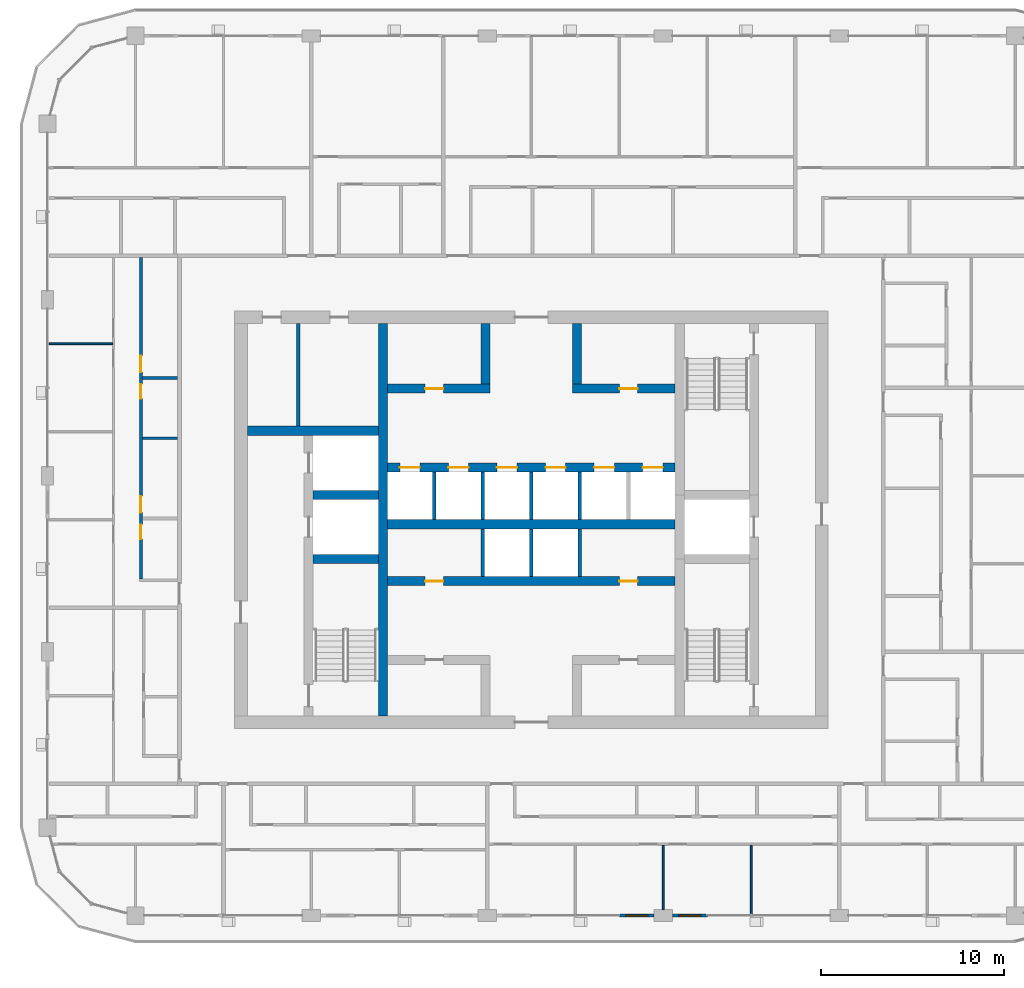
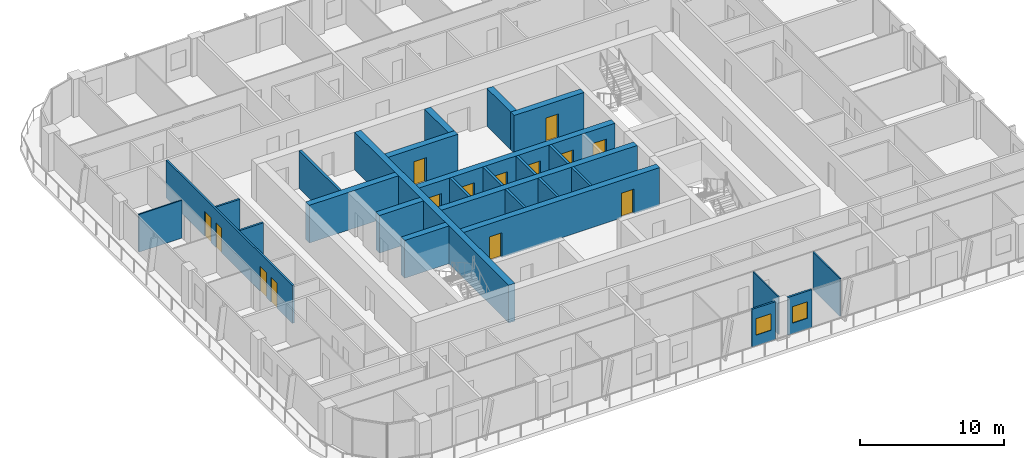
# One storey, part 11 of 23: 27 walls, 14 doors, 2 windows, 16 openings.
"""IFC4 building model written with IfcOpenShell, lengths in metres."""

from ifc_helpers import new_model, si_unit, direction, frame, frame_2d, origin, place, context, subcontext, project, spatial, rectangle, extrude, material, layer, layer_set, type_object, element, fill, save


model = new_model("IFC4")

# Units and contexts
model_context = context("Model", 3, precision=1e-05, world=origin(), true_north=direction((0.0, 1.0)))
body_context = subcontext(model_context, "Body", "Model", "MODEL_VIEW")
ifc_project = project(units=[si_unit("LENGTHUNIT", "METRE"), si_unit("AREAUNIT", "SQUARE_METRE"), si_unit("VOLUMEUNIT", "CUBIC_METRE"), si_unit("PLANEANGLEUNIT", "RADIAN"), si_unit("MASSUNIT", "GRAM", prefix="KILO")], contexts=[model_context])

# Site, building, storey
site_placement = place(None, origin())
site = spatial("IfcSite", under=ifc_project, at=site_placement, CompositionType="ELEMENT")
building_placement = place(site_placement, origin())
building = spatial("IfcBuilding", under=site, at=building_placement, Name="Madar Terraces", CompositionType="ELEMENT")
storey_placement = place(building_placement, frame((0.0, 0.0, 219.300048828125)))
storey = spatial("IfcBuildingStorey", under=building, at=storey_placement, Name="L57", CompositionType="ELEMENT", Elevation=219.300048828125)

# Walls
ifc_material_1 = material(Name="Concrete C60/75", Category="concrete")
ifc_layer_1 = layer(ifc_material_1, 0.5)
ifc_layer_set_1 = layer_set([ifc_layer_1], Name="Concrete C60/75 (CIW4 RC wall 500)")
wall_type_1 = type_object("IfcWallType", Name="CIW4 RC wall 500", PredefinedType="SHEAR", material=ifc_layer_set_1)
wall_1_placement = place(storey_placement, frame((23.10009765625, 15.699951171875, 0.0), z_axis=(0.0, 0.0, 1.0), x_axis=(0.0, 1.0, 0.0)))
element("IfcWall", 1, at=wall_1_placement, inside=storey, type_object=wall_type_1, Name="CORE SHAFT WALL", PredefinedType="SHEAR", context=body_context, shape_type="SweptSolid", body=[
    extrude(rectangle(XDim=21.400146484375, YDim=0.5, at=frame_2d((10.7001953125, 0.0))), origin(), (0.0, 0.0, 1.0), 3.199951171875),
])
for number, where, z_axis, x_axis, name in (
    (2, (19.300048828125, 24.25, 0.0), (0.0, 0.0, 1.0), (1.0, 0.0, 0.0), "CORE SHAFT WALL"),
    (3, (19.300048828125, 27.75, 0.0), (0.0, 0.0, 1.0), (1.0, 0.0, 0.0), "CORE SHAFT WALL"),
):
    element("IfcWall", number, at=place(storey_placement, frame(where, z_axis=z_axis, x_axis=x_axis)), inside=storey, type_object=wall_type_1, Name=name, PredefinedType="SHEAR", context=body_context, shape_type="SweptSolid", body=[
        extrude(rectangle(XDim=3.550048828125, YDim=0.5, at=frame_2d((1.77490234375, 0.0))), origin(), (0.0, 0.0, 1.0), 3.199951171875),
    ])
wall_2_placement = place(storey_placement, frame((15.699951171875, 31.25, 0.0), z_axis=(0.0, 0.0, 1.0), x_axis=(1.0, 0.0, 0.0)))
element("IfcWall", 4, at=wall_2_placement, inside=storey, type_object=wall_type_1, Name="CORE SHAFT WALL", PredefinedType="SHEAR", context=body_context, shape_type="SweptSolid", body=[
    extrude(rectangle(XDim=7.150146484375, YDim=0.5, at=frame_2d((3.5751953125, 0.0))), origin(), (0.0, 0.0, 1.0), 3.199951171875),
])

# Wall, openings, doors
wall_3_placement = place(storey_placement, frame((23.35009765625, 23.050048828125, 0.0), z_axis=(0.0, 0.0, 1.0), x_axis=(1.0, 0.0, 0.0)))
wall_3 = element("IfcWall", 5, at=wall_3_placement, inside=storey, type_object=wall_type_1, Name="CORE SHAFT WALL", PredefinedType="SHEAR", context=body_context, shape_type="SweptSolid", body=[
    extrude(rectangle(XDim=15.699951171875, YDim=0.5, at=frame_2d((7.85009765625, 0.0))), origin(), (0.0, 0.0, 1.0), 3.199951171875),
])
opening_1_placement = place(wall_3_placement, frame((2.050048828125, 0.0, 0.0)))
opening_1 = element("IfcOpeningElement", 6, at=opening_1_placement, cuts=wall_3, Name="Opening KD2", PredefinedType="OPENING", context=body_context, shape_type="SweptSolid", body=[
    extrude(rectangle(XDim=1.0, YDim=2.10009765625, at=frame_2d((0.5, 1.050048828125))), frame((0.0, 0.260009765625, 0.0), z_axis=(0.0, -1.0, 0.0), x_axis=(1.0, 0.0, 0.0)), (0.0, 0.0, 1.0), 0.52001953125),
])
opening_2_placement = place(wall_3_placement, frame((12.64990234375, 0.0, 0.0)))
opening_2 = element("IfcOpeningElement", 7, at=opening_2_placement, cuts=wall_3, Name="Opening KD2", PredefinedType="OPENING", context=body_context, shape_type="SweptSolid", body=[
    extrude(rectangle(XDim=1.0, YDim=2.10009765625, at=frame_2d((0.5, 1.050048828125))), frame((0.0, 0.260009765625, 0.0), z_axis=(0.0, -1.0, 0.0), x_axis=(1.0, 0.0, 0.0)), (0.0, 0.0, 1.0), 0.52001953125),
])
ifc_material_2 = material(Name="Steel door leaf", Category="steel")
door_type_1 = type_object("IfcDoorType", Name="Service room door 1000 x 2100", OperationType="NOTDEFINED", PredefinedType="DOOR", material=ifc_material_2)
door_1_placement = place(opening_1_placement, frame((1.0, 0.0, 0.0), z_axis=(0.0, 0.0, 1.0), x_axis=(-1.0, 0.0, 0.0)))
door_1 = element("IfcDoor", 8, at=door_1_placement, inside=storey, type_object=door_type_1, Name="SERVICE ROOM DOOR", OperationType="SINGLE_SWING_RIGHT", OverallHeight=2.10009765625, OverallWidth=1.0, PredefinedType="DOOR", context=body_context, shape_type="SweptSolid", body=[
    extrude(rectangle(XDim=1.0, YDim=2.10009765625, at=frame_2d((0.5, 1.050048828125))), frame((0.0, 0.02490234375, 0.0), z_axis=(0.0, -1.0, 0.0), x_axis=(1.0, 0.0, 0.0)), (0.0, 0.0, 1.0), 0.050048828125),
])
fill(opening_1, door_1)
door_2_placement = place(opening_2_placement, frame((1.0, 0.0, 0.0), z_axis=(0.0, 0.0, 1.0), x_axis=(-1.0, 0.0, 0.0)))
door_2 = element("IfcDoor", 9, at=door_2_placement, inside=storey, type_object=door_type_1, Name="SERVICE ROOM DOOR", OperationType="SINGLE_SWING_LEFT", OverallHeight=2.10009765625, OverallWidth=1.0, PredefinedType="DOOR", context=body_context, shape_type="SweptSolid", body=[
    extrude(rectangle(XDim=1.0, YDim=2.10009765625, at=frame_2d((0.5, 1.050048828125))), frame((0.0, 0.02490234375, 0.0), z_axis=(0.0, -1.0, 0.0), x_axis=(1.0, 0.0, 0.0)), (0.0, 0.0, 1.0), 0.050048828125),
])
fill(opening_2, door_2)

# Wall
wall_4_placement = place(storey_placement, frame((23.35009765625, 26.14990234375, 0.0), z_axis=(0.0, 0.0, 1.0), x_axis=(1.0, 0.0, 0.0)))
element("IfcWall", 10, at=wall_4_placement, inside=storey, type_object=wall_type_1, Name="CORE SHAFT WALL", PredefinedType="SHEAR", context=body_context, shape_type="SweptSolid", body=[
    extrude(rectangle(XDim=15.699951171875, YDim=0.5, at=frame_2d((7.85009765625, 0.0))), origin(), (0.0, 0.0, 1.0), 3.199951171875),
])

# Wall, openings, doors
wall_5_placement = place(storey_placement, frame((23.35009765625, 29.25, 0.0), z_axis=(0.0, 0.0, 1.0), x_axis=(1.0, 0.0, 0.0)))
wall_5 = element("IfcWall", 11, at=wall_5_placement, inside=storey, type_object=wall_type_1, Name="CORE SHAFT WALL", PredefinedType="SHEAR", context=body_context, shape_type="SweptSolid", body=[
    extrude(rectangle(XDim=15.699951171875, YDim=0.5, at=frame_2d((7.85009765625, 0.0))), origin(), (0.0, 0.0, 1.0), 3.199951171875),
])
opening_3_placement = place(wall_5_placement, frame((0.675048828125, 0.0, 0.0)))
opening_3 = element("IfcOpeningElement", 12, at=opening_3_placement, cuts=wall_5, Name="Opening LD", PredefinedType="OPENING", context=body_context, shape_type="SweptSolid", body=[
    extrude(rectangle(XDim=1.10009765625, YDim=2.10009765625, at=frame_2d((0.550048828125, 1.050048828125))), frame((0.0, 0.260009765625, 0.0), z_axis=(0.0, -1.0, 0.0), x_axis=(1.0, 0.0, 0.0)), (0.0, 0.0, 1.0), 0.52001953125),
])
opening_4_placement = place(wall_5_placement, frame((3.324951171875, 0.0, 0.0)))
opening_4 = element("IfcOpeningElement", 13, at=opening_4_placement, cuts=wall_5, Name="Opening LD", PredefinedType="OPENING", context=body_context, shape_type="SweptSolid", body=[
    extrude(rectangle(XDim=1.10009765625, YDim=2.10009765625, at=frame_2d((0.550048828125, 1.050048828125))), frame((0.0, 0.260009765625, 0.0), z_axis=(0.0, -1.0, 0.0), x_axis=(1.0, 0.0, 0.0)), (0.0, 0.0, 1.0), 0.52001953125),
])
opening_5_placement = place(wall_5_placement, frame((5.97509765625, 0.0, 0.0)))
opening_5 = element("IfcOpeningElement", 14, at=opening_5_placement, cuts=wall_5, Name="Opening LD", PredefinedType="OPENING", context=body_context, shape_type="SweptSolid", body=[
    extrude(rectangle(XDim=1.10009765625, YDim=2.10009765625, at=frame_2d((0.550048828125, 1.050048828125))), frame((0.0, 0.260009765625, 0.0), z_axis=(0.0, -1.0, 0.0), x_axis=(1.0, 0.0, 0.0)), (0.0, 0.0, 1.0), 0.52001953125),
])
opening_6_placement = place(wall_5_placement, frame((8.625, 0.0, 0.0)))
opening_6 = element("IfcOpeningElement", 15, at=opening_6_placement, cuts=wall_5, Name="Opening LD", PredefinedType="OPENING", context=body_context, shape_type="SweptSolid", body=[
    extrude(rectangle(XDim=1.10009765625, YDim=2.10009765625, at=frame_2d((0.550048828125, 1.050048828125))), frame((0.0, 0.260009765625, 0.0), z_axis=(0.0, -1.0, 0.0), x_axis=(1.0, 0.0, 0.0)), (0.0, 0.0, 1.0), 0.52001953125),
])
opening_7_placement = place(wall_5_placement, frame((11.27490234375, 0.0, 0.0)))
opening_7 = element("IfcOpeningElement", 16, at=opening_7_placement, cuts=wall_5, Name="Opening LD", PredefinedType="OPENING", context=body_context, shape_type="SweptSolid", body=[
    extrude(rectangle(XDim=1.10009765625, YDim=2.10009765625, at=frame_2d((0.550048828125, 1.050048828125))), frame((0.0, 0.260009765625, 0.0), z_axis=(0.0, -1.0, 0.0), x_axis=(1.0, 0.0, 0.0)), (0.0, 0.0, 1.0), 0.52001953125),
])
opening_8_placement = place(wall_5_placement, frame((13.925048828125, 0.0, 0.0)))
opening_8 = element("IfcOpeningElement", 17, at=opening_8_placement, cuts=wall_5, Name="Opening LD", PredefinedType="OPENING", context=body_context, shape_type="SweptSolid", body=[
    extrude(rectangle(XDim=1.10009765625, YDim=2.10009765625, at=frame_2d((0.550048828125, 1.050048828125))), frame((0.0, 0.260009765625, 0.0), z_axis=(0.0, -1.0, 0.0), x_axis=(1.0, 0.0, 0.0)), (0.0, 0.0, 1.0), 0.52001953125),
])
ifc_material_3 = material(Name="Stainless steel panel", Category="steel")
door_type_2 = type_object("IfcDoorType", Name="Lift landing door 1100 x 2100", OperationType="DOUBLE_DOOR_SLIDING", PredefinedType="DOOR", material=ifc_material_3)
door_3_placement = place(opening_3_placement, origin())
door_3 = element("IfcDoor", 18, at=door_3_placement, inside=storey, type_object=door_type_2, Name="LIFT LANDING DOOR", OperationType="DOUBLE_DOOR_SLIDING", OverallHeight=2.10009765625, OverallWidth=1.10009765625, PredefinedType="DOOR", context=body_context, shape_type="SweptSolid", body=[
    extrude(rectangle(XDim=1.10009765625, YDim=2.10009765625, at=frame_2d((0.550048828125, 1.050048828125))), frame((0.0, 0.02490234375, 0.0), z_axis=(0.0, -1.0, 0.0), x_axis=(1.0, 0.0, 0.0)), (0.0, 0.0, 1.0), 0.050048828125),
])
fill(opening_3, door_3)
door_4_placement = place(opening_4_placement, origin())
door_4 = element("IfcDoor", 19, at=door_4_placement, inside=storey, type_object=door_type_2, Name="LIFT LANDING DOOR", OperationType="DOUBLE_DOOR_SLIDING", OverallHeight=2.10009765625, OverallWidth=1.10009765625, PredefinedType="DOOR", context=body_context, shape_type="SweptSolid", body=[
    extrude(rectangle(XDim=1.10009765625, YDim=2.10009765625, at=frame_2d((0.550048828125, 1.050048828125))), frame((0.0, 0.02490234375, 0.0), z_axis=(0.0, -1.0, 0.0), x_axis=(1.0, 0.0, 0.0)), (0.0, 0.0, 1.0), 0.050048828125),
])
fill(opening_4, door_4)
door_5_placement = place(opening_5_placement, origin())
door_5 = element("IfcDoor", 20, at=door_5_placement, inside=storey, type_object=door_type_2, Name="LIFT LANDING DOOR", OperationType="DOUBLE_DOOR_SLIDING", OverallHeight=2.10009765625, OverallWidth=1.10009765625, PredefinedType="DOOR", context=body_context, shape_type="SweptSolid", body=[
    extrude(rectangle(XDim=1.10009765625, YDim=2.10009765625, at=frame_2d((0.550048828125, 1.050048828125))), frame((0.0, 0.02490234375, 0.0), z_axis=(0.0, -1.0, 0.0), x_axis=(1.0, 0.0, 0.0)), (0.0, 0.0, 1.0), 0.050048828125),
])
fill(opening_5, door_5)
door_6_placement = place(opening_6_placement, origin())
door_6 = element("IfcDoor", 21, at=door_6_placement, inside=storey, type_object=door_type_2, Name="LIFT LANDING DOOR", OperationType="DOUBLE_DOOR_SLIDING", OverallHeight=2.10009765625, OverallWidth=1.10009765625, PredefinedType="DOOR", context=body_context, shape_type="SweptSolid", body=[
    extrude(rectangle(XDim=1.10009765625, YDim=2.10009765625, at=frame_2d((0.550048828125, 1.050048828125))), frame((0.0, 0.02490234375, 0.0), z_axis=(0.0, -1.0, 0.0), x_axis=(1.0, 0.0, 0.0)), (0.0, 0.0, 1.0), 0.050048828125),
])
fill(opening_6, door_6)
door_7_placement = place(opening_7_placement, origin())
door_7 = element("IfcDoor", 22, at=door_7_placement, inside=storey, type_object=door_type_2, Name="LIFT LANDING DOOR", OperationType="DOUBLE_DOOR_SLIDING", OverallHeight=2.10009765625, OverallWidth=1.10009765625, PredefinedType="DOOR", context=body_context, shape_type="SweptSolid", body=[
    extrude(rectangle(XDim=1.10009765625, YDim=2.10009765625, at=frame_2d((0.550048828125, 1.050048828125))), frame((0.0, 0.02490234375, 0.0), z_axis=(0.0, -1.0, 0.0), x_axis=(1.0, 0.0, 0.0)), (0.0, 0.0, 1.0), 0.050048828125),
])
fill(opening_7, door_7)
door_8_placement = place(opening_8_placement, origin())
door_8 = element("IfcDoor", 23, at=door_8_placement, inside=storey, type_object=door_type_2, Name="LIFT LANDING DOOR", OperationType="DOUBLE_DOOR_SLIDING", OverallHeight=2.10009765625, OverallWidth=1.10009765625, PredefinedType="DOOR", context=body_context, shape_type="SweptSolid", body=[
    extrude(rectangle(XDim=1.10009765625, YDim=2.10009765625, at=frame_2d((0.550048828125, 1.050048828125))), frame((0.0, 0.02490234375, 0.0), z_axis=(0.0, -1.0, 0.0), x_axis=(1.0, 0.0, 0.0)), (0.0, 0.0, 1.0), 0.050048828125),
])
fill(opening_8, door_8)

# Wall, opening, door
wall_6_placement = place(storey_placement, frame((23.35009765625, 33.550048828125, 0.0), z_axis=(0.0, 0.0, 1.0), x_axis=(1.0, 0.0, 0.0)))
wall_6 = element("IfcWall", 24, at=wall_6_placement, inside=storey, type_object=wall_type_1, Name="CORE SHAFT WALL", PredefinedType="SHEAR", context=body_context, shape_type="SweptSolid", body=[
    extrude(rectangle(XDim=5.599853515625, YDim=0.5, at=frame_2d((2.7998046875, 0.0))), origin(), (0.0, 0.0, 1.0), 3.199951171875),
])
opening_9_placement = place(wall_6_placement, frame((2.050048828125, 0.0, 0.0)))
opening_9 = element("IfcOpeningElement", 25, at=opening_9_placement, cuts=wall_6, Name="Opening KD2", PredefinedType="OPENING", context=body_context, shape_type="SweptSolid", body=[
    extrude(rectangle(XDim=1.0, YDim=2.10009765625, at=frame_2d((0.5, 1.050048828125))), frame((0.0, 0.260009765625, 0.0), z_axis=(0.0, -1.0, 0.0), x_axis=(1.0, 0.0, 0.0)), (0.0, 0.0, 1.0), 0.52001953125),
])
door_9_placement = place(opening_9_placement, frame((1.0, 0.0, 0.0), z_axis=(0.0, 0.0, 1.0), x_axis=(-1.0, 0.0, 0.0)))
door_9 = element("IfcDoor", 26, at=door_9_placement, inside=storey, type_object=door_type_1, Name="SERVICE ROOM DOOR", OperationType="SINGLE_SWING_RIGHT", OverallHeight=2.10009765625, OverallWidth=1.0, PredefinedType="DOOR", context=body_context, shape_type="SweptSolid", body=[
    extrude(rectangle(XDim=1.0, YDim=2.10009765625, at=frame_2d((0.5, 1.050048828125))), frame((0.0, 0.02490234375, 0.0), z_axis=(0.0, -1.0, 0.0), x_axis=(1.0, 0.0, 0.0)), (0.0, 0.0, 1.0), 0.050048828125),
])
fill(opening_9, door_9)

wall_7_placement = place(storey_placement, frame((33.449951171875, 33.550048828125, 0.0), z_axis=(0.0, 0.0, 1.0), x_axis=(1.0, 0.0, 0.0)))
wall_7 = element("IfcWall", 27, at=wall_7_placement, inside=storey, type_object=wall_type_1, Name="CORE SHAFT WALL", PredefinedType="SHEAR", context=body_context, shape_type="SweptSolid", body=[
    extrude(rectangle(XDim=5.60009765625, YDim=0.5, at=frame_2d((2.800048828125, 0.0))), origin(), (0.0, 0.0, 1.0), 3.199951171875),
])
opening_10_placement = place(wall_7_placement, frame((2.550048828125, 0.0, 0.0)))
opening_10 = element("IfcOpeningElement", 28, at=opening_10_placement, cuts=wall_7, Name="Opening KD2", PredefinedType="OPENING", context=body_context, shape_type="SweptSolid", body=[
    extrude(rectangle(XDim=1.0, YDim=2.10009765625, at=frame_2d((0.5, 1.050048828125))), frame((0.0, 0.260009765625, 0.0), z_axis=(0.0, -1.0, 0.0), x_axis=(1.0, 0.0, 0.0)), (0.0, 0.0, 1.0), 0.52001953125),
])
door_10_placement = place(opening_10_placement, frame((1.0, 0.0, 0.0), z_axis=(0.0, 0.0, 1.0), x_axis=(-1.0, 0.0, 0.0)))
door_10 = element("IfcDoor", 29, at=door_10_placement, inside=storey, type_object=door_type_1, Name="SERVICE ROOM DOOR", OperationType="SINGLE_SWING_LEFT", OverallHeight=2.10009765625, OverallWidth=1.0, PredefinedType="DOOR", context=body_context, shape_type="SweptSolid", body=[
    extrude(rectangle(XDim=1.0, YDim=2.10009765625, at=frame_2d((0.5, 1.050048828125))), frame((0.0, 0.02490234375, 0.0), z_axis=(0.0, -1.0, 0.0), x_axis=(1.0, 0.0, 0.0)), (0.0, 0.0, 1.0), 0.050048828125),
])
fill(opening_10, door_10)

# Walls
for number, where, z_axis, x_axis, name in (
    (30, (28.699951171875, 33.800048828125, 0.0), (0.0, 0.0, 1.0), (0.0, 1.0, 0.0), "CORE SHAFT WALL"),
    (31, (33.699951171875, 33.800048828125, 0.0), (0.0, 0.0, 1.0), (0.0, 1.0, 0.0), "CORE SHAFT WALL"),
):
    element("IfcWall", number, at=place(storey_placement, frame(where, z_axis=z_axis, x_axis=x_axis)), inside=storey, type_object=wall_type_1, Name=name, PredefinedType="SHEAR", context=body_context, shape_type="SweptSolid", body=[
        extrude(rectangle(XDim=3.300048828125, YDim=0.5, at=frame_2d((1.64990234375, 0.0))), origin(), (0.0, 0.0, 1.0), 3.199951171875),
    ])
ifc_material_4 = material(Name="Masonry blockwork", Category="masonry")
ifc_layer_2 = layer(ifc_material_4, 0.199951171875)
ifc_layer_set_2 = layer_set([ifc_layer_2], Name="Core partition 200 blockwork")
wall_type_2 = type_object("IfcWallType", Name="Core partition 200 blockwork", PredefinedType="PARTITIONING", material=ifc_layer_set_2)
wall_8_placement = place(storey_placement, frame((18.488525390625, 31.5, 0.0), z_axis=(0.0, 0.0, 1.0), x_axis=(0.0, 1.0, 0.0)))
element("IfcWall", 32, at=wall_8_placement, inside=storey, type_object=wall_type_2, Name="SERVICE ROOM PARTITION", PredefinedType="PARTITIONING", context=body_context, shape_type="SweptSolid", body=[
    extrude(rectangle(XDim=5.60009765625, YDim=0.199951171875, at=frame_2d((2.800048828125, 0.0))), origin(), (0.0, 0.0, 1.0), 3.199951171875),
])
ifc_material_5 = material(Name="Concrete C40/50", Category="concrete")
ifc_layer_3 = layer(ifc_material_5, 0.199951171875)
ifc_layer_set_3 = layer_set([ifc_layer_3], Name="Core shaft dividing wall 200 C40/50")
wall_type_3 = type_object("IfcWallType", Name="Core shaft dividing wall 200 C40/50", PredefinedType="SOLIDWALL", material=ifc_layer_set_3)
wall_9_placement = place(storey_placement, frame((25.89990234375, 26.39990234375, 0.0), z_axis=(0.0, 0.0, 1.0), x_axis=(0.0, 1.0, 0.0)))
element("IfcWall", 33, at=wall_9_placement, inside=storey, type_object=wall_type_3, Name="SHAFT DIVIDING WALL", PredefinedType="SOLIDWALL", context=body_context, shape_type="SweptSolid", body=[
    extrude(rectangle(XDim=2.60009765625, YDim=0.199951171875, at=frame_2d((1.300048828125, 0.0))), origin(), (0.0, 0.0, 1.0), 3.199951171875),
])
wall_10_placement = place(storey_placement, frame((28.550048828125, 23.300048828125, 0.0), z_axis=(0.0, 0.0, 1.0), x_axis=(0.0, 1.0, 0.0)))
element("IfcWall", 34, at=wall_10_placement, inside=storey, type_object=wall_type_3, Name="SHAFT DIVIDING WALL", PredefinedType="SOLIDWALL", context=body_context, shape_type="SweptSolid", body=[
    extrude(rectangle(XDim=2.599853515625, YDim=0.199951171875, at=frame_2d((1.2998046875, 0.0))), origin(), (0.0, 0.0, 1.0), 3.199951171875),
])
wall_11_placement = place(storey_placement, frame((28.550048828125, 26.39990234375, 0.0), z_axis=(0.0, 0.0, 1.0), x_axis=(0.0, 1.0, 0.0)))
element("IfcWall", 35, at=wall_11_placement, inside=storey, type_object=wall_type_3, Name="SHAFT DIVIDING WALL", PredefinedType="SOLIDWALL", context=body_context, shape_type="SweptSolid", body=[
    extrude(rectangle(XDim=2.60009765625, YDim=0.199951171875, at=frame_2d((1.300048828125, 0.0))), origin(), (0.0, 0.0, 1.0), 3.199951171875),
])
wall_12_placement = place(storey_placement, frame((31.199951171875, 23.300048828125, 0.0), z_axis=(0.0, 0.0, 1.0), x_axis=(0.0, 1.0, 0.0)))
element("IfcWall", 36, at=wall_12_placement, inside=storey, type_object=wall_type_3, Name="SHAFT DIVIDING WALL", PredefinedType="SOLIDWALL", context=body_context, shape_type="SweptSolid", body=[
    extrude(rectangle(XDim=2.599853515625, YDim=0.199951171875, at=frame_2d((1.2998046875, 0.0))), origin(), (0.0, 0.0, 1.0), 3.199951171875),
])
wall_13_placement = place(storey_placement, frame((31.199951171875, 26.39990234375, 0.0), z_axis=(0.0, 0.0, 1.0), x_axis=(0.0, 1.0, 0.0)))
element("IfcWall", 37, at=wall_13_placement, inside=storey, type_object=wall_type_3, Name="SHAFT DIVIDING WALL", PredefinedType="SOLIDWALL", context=body_context, shape_type="SweptSolid", body=[
    extrude(rectangle(XDim=2.60009765625, YDim=0.199951171875, at=frame_2d((1.300048828125, 0.0))), origin(), (0.0, 0.0, 1.0), 3.199951171875),
])
wall_14_placement = place(storey_placement, frame((33.85009765625, 23.300048828125, 0.0), z_axis=(0.0, 0.0, 1.0), x_axis=(0.0, 1.0, 0.0)))
element("IfcWall", 38, at=wall_14_placement, inside=storey, type_object=wall_type_3, Name="SHAFT DIVIDING WALL", PredefinedType="SOLIDWALL", context=body_context, shape_type="SweptSolid", body=[
    extrude(rectangle(XDim=2.599853515625, YDim=0.199951171875, at=frame_2d((1.2998046875, 0.0))), origin(), (0.0, 0.0, 1.0), 3.199951171875),
])
wall_15_placement = place(storey_placement, frame((33.85009765625, 26.39990234375, 0.0), z_axis=(0.0, 0.0, 1.0), x_axis=(0.0, 1.0, 0.0)))
element("IfcWall", 39, at=wall_15_placement, inside=storey, type_object=wall_type_3, Name="SHAFT DIVIDING WALL", PredefinedType="SOLIDWALL", context=body_context, shape_type="SweptSolid", body=[
    extrude(rectangle(XDim=2.60009765625, YDim=0.199951171875, at=frame_2d((1.300048828125, 0.0))), origin(), (0.0, 0.0, 1.0), 3.199951171875),
])

# Wall, opening, window
ifc_material_6 = material(Name="Aluminium composite panel, black, over insulated backing", Category="aluminium")
ifc_layer_4 = layer(ifc_material_6, 0.14990234375)
ifc_layer_set_4 = layer_set([ifc_layer_4], Name="Facade bay panel 150")
wall_type_4 = type_object("IfcWallType", Name="Facade bay panel 150", PredefinedType="SOLIDWALL", material=ifc_layer_set_4)
wall_16_placement = place(storey_placement, frame((36.0, 4.800048828125, 0.0), z_axis=(0.0, 0.0, 1.0), x_axis=(1.0, 0.0, 0.0)))
wall_16 = element("IfcWall", 40, at=wall_16_placement, inside=storey, type_object=wall_type_4, Name="Facade bay panel", PredefinedType="SOLIDWALL", context=body_context, shape_type="SweptSolid", body=[
    extrude(rectangle(XDim=1.89990234375, YDim=0.14990234375, at=frame_2d((0.949951171875, 0.0))), origin(), (0.0, 0.0, 1.0), 3.199951171875),
])
opening_11_placement = place(wall_16_placement, frame((0.35009765625, 0.0, 0.89990234375)))
opening_11 = element("IfcOpeningElement", 41, at=opening_11_placement, cuts=wall_16, Name="Opening W1", PredefinedType="OPENING", context=body_context, shape_type="SweptSolid", body=[
    extrude(rectangle(XDim=1.199951171875, YDim=1.39990234375, at=frame_2d((0.60009765625, 0.699951171875))), frame((0.0, 0.0849609375, 0.0), z_axis=(0.0, -1.0, 0.0), x_axis=(1.0, 0.0, 0.0)), (0.0, 0.0, 1.0), 0.169921875),
])
ifc_material_7 = material(Name="Glass, clear, with black aluminium frame", Category="aluminium")
window_type = type_object("IfcWindowType", Name="Vent window 1200 x 1400", PartitioningType="SINGLE_PANEL", PredefinedType="WINDOW", material=ifc_material_7)
window_1_placement = place(opening_11_placement, origin())
window_1 = element("IfcWindow", 42, at=window_1_placement, inside=storey, type_object=window_type, Name="Operable vent window", OverallHeight=1.39990234375, OverallWidth=1.199951171875, PartitioningType="SINGLE_PANEL", PredefinedType="WINDOW", context=body_context, shape_type="SweptSolid", body=[
    extrude(rectangle(XDim=1.199951171875, YDim=1.39990234375, at=frame_2d((0.60009765625, 0.699951171875))), frame((0.0, 0.030029296875, 0.0), z_axis=(0.0, -1.0, 0.0), x_axis=(1.0, 0.0, 0.0)), (0.0, 0.0, 1.0), 0.06005859375),
])
fill(opening_11, window_1)

wall_17_placement = place(storey_placement, frame((38.89990234375, 4.800048828125, 0.0), z_axis=(0.0, 0.0, 1.0), x_axis=(1.0, 0.0, 0.0)))
wall_17 = element("IfcWall", 43, at=wall_17_placement, inside=storey, type_object=wall_type_4, Name="Facade bay panel", PredefinedType="SOLIDWALL", context=body_context, shape_type="SweptSolid", body=[
    extrude(rectangle(XDim=1.900146484375, YDim=0.14990234375, at=frame_2d((0.9501953125, 0.0))), origin(), (0.0, 0.0, 1.0), 3.199951171875),
])
opening_12_placement = place(wall_17_placement, frame((0.35009765625, 0.0, 0.89990234375)))
opening_12 = element("IfcOpeningElement", 44, at=opening_12_placement, cuts=wall_17, Name="Opening W1", PredefinedType="OPENING", context=body_context, shape_type="SweptSolid", body=[
    extrude(rectangle(XDim=1.199951171875, YDim=1.39990234375, at=frame_2d((0.60009765625, 0.699951171875))), frame((0.0, 0.0849609375, 0.0), z_axis=(0.0, -1.0, 0.0), x_axis=(1.0, 0.0, 0.0)), (0.0, 0.0, 1.0), 0.169921875),
])
window_2_placement = place(opening_12_placement, origin())
window_2 = element("IfcWindow", 45, at=window_2_placement, inside=storey, type_object=window_type, Name="Operable vent window", OverallHeight=1.39990234375, OverallWidth=1.199951171875, PartitioningType="SINGLE_PANEL", PredefinedType="WINDOW", context=body_context, shape_type="SweptSolid", body=[
    extrude(rectangle(XDim=1.199951171875, YDim=1.39990234375, at=frame_2d((0.60009765625, 0.699951171875))), frame((0.0, 0.030029296875, 0.0), z_axis=(0.0, -1.0, 0.0), x_axis=(1.0, 0.0, 0.0)), (0.0, 0.0, 1.0), 0.06005859375),
])
fill(opening_12, window_2)

# Walls
ifc_material_8 = material(Name="Gypsum board on steel studs", Category="steel")
ifc_layer_5 = layer(ifc_material_8, 0.10009765625)
ifc_layer_set_5 = layer_set([ifc_layer_5], Name="Flat partition 100")
wall_type_5 = type_object("IfcWallType", Name="Flat partition 100", PredefinedType="PARTITIONING", material=ifc_layer_set_5)
wall_18_placement = place(storey_placement, frame((38.39990234375, 8.64990234375, 0.0), z_axis=(0.0, 0.0, 1.0), x_axis=(0.0, -1.0, 0.0)))
element("IfcWall", 46, at=wall_18_placement, inside=storey, type_object=wall_type_5, Name="Flat partition 100", PredefinedType="PARTITIONING", context=body_context, shape_type="SweptSolid", body=[
    extrude(rectangle(XDim=3.52490234375, YDim=0.10009765625, at=frame_2d((1.762451171875, 0.0))), origin(), (0.0, 0.0, 1.0), 3.199951171875),
])
wall_19_placement = place(storey_placement, frame((43.199951171875, 8.64990234375, 0.0), z_axis=(0.0, 0.0, 1.0), x_axis=(0.0, -1.0, 0.0)))
element("IfcWall", 47, at=wall_19_placement, inside=storey, type_object=wall_type_5, Name="Flat partition 100", PredefinedType="PARTITIONING", context=body_context, shape_type="SweptSolid", body=[
    extrude(rectangle(XDim=3.75, YDim=0.10009765625, at=frame_2d((1.875, 0.0))), origin(), (0.0, 0.0, 1.0), 3.199951171875),
])
wall_20_placement = place(storey_placement, frame((8.35009765625, 36.0, 0.0), z_axis=(0.0, 0.0, 1.0), x_axis=(-1.0, 0.0, 0.0)))
element("IfcWall", 48, at=wall_20_placement, inside=storey, type_object=wall_type_5, Name="Flat partition 100", PredefinedType="PARTITIONING", context=body_context, shape_type="SweptSolid", body=[
    extrude(rectangle(XDim=3.4501953125, YDim=0.10009765625, at=frame_2d((1.72509765625, 0.0))), origin(), (0.0, 0.0, 1.0), 3.199951171875),
])
ifc_material_9 = material(Name="Lightweight blockwork", Category="masonry")
ifc_layer_6 = layer(ifc_material_9, 0.14990234375)
ifc_layer_set_6 = layer_set([ifc_layer_6], Name="Flat wet-room partition 150")
wall_type_6 = type_object("IfcWallType", Name="Flat wet-room partition 150", PredefinedType="PARTITIONING", material=ifc_layer_set_6)
for number, where, z_axis, x_axis, name in (
    (49, (11.89990234375, 30.842041015625, 0.0), (0.0, 0.0, 1.0), (-1.0, 0.0, 0.0), "Flat wet-room partition 150"),
    (50, (11.89990234375, 34.1279296875, 0.0), (0.0, 0.0, 1.0), (-1.0, 0.0, 0.0), "Flat wet-room partition 150"),
):
    element("IfcWall", number, at=place(storey_placement, frame(where, z_axis=z_axis, x_axis=x_axis)), inside=storey, type_object=wall_type_6, Name=name, PredefinedType="PARTITIONING", context=body_context, shape_type="SweptSolid", body=[
        extrude(rectangle(XDim=1.9248046875, YDim=0.14990234375, at=frame_2d((0.96240234375, 0.0))), origin(), (0.0, 0.0, 1.0), 3.199951171875),
    ])

# Wall, openings, doors
wall_21_placement = place(storey_placement, frame((9.89990234375, 40.699951171875, 0.0), z_axis=(0.0, 0.0, 1.0), x_axis=(0.0, -1.0, 0.0)))
wall_21 = element("IfcWall", 51, at=wall_21_placement, inside=storey, type_object=wall_type_6, Name="Flat wet-room partition 150", PredefinedType="PARTITIONING", context=body_context, shape_type="SweptSolid", body=[
    extrude(rectangle(XDim=17.52490234375, YDim=0.14990234375, at=frame_2d((8.762451171875, 0.0))), origin(), (0.0, 0.0, 1.0), 3.199951171875),
])
opening_13_placement = place(wall_21_placement, frame((14.564208984375, 0.0, 0.0)))
opening_13 = element("IfcOpeningElement", 52, at=opening_13_placement, cuts=wall_21, Name="Opening D7", PredefinedType="OPENING", context=body_context, shape_type="SweptSolid", body=[
    extrude(rectangle(XDim=0.800048828125, YDim=2.10009765625, at=frame_2d((0.39990234375, 1.050048828125))), frame((0.0, 0.0849609375, 0.0), z_axis=(0.0, -1.0, 0.0), x_axis=(1.0, 0.0, 0.0)), (0.0, 0.0, 1.0), 0.169921875),
])
opening_14_placement = place(wall_21_placement, frame((13.01416015625, 0.0, 0.0)))
opening_14 = element("IfcOpeningElement", 53, at=opening_14_placement, cuts=wall_21, Name="Opening D5", PredefinedType="OPENING", context=body_context, shape_type="SweptSolid", body=[
    extrude(rectangle(XDim=0.89990234375, YDim=2.10009765625, at=frame_2d((0.449951171875, 1.050048828125))), frame((0.0, 0.0849609375, 0.0), z_axis=(0.0, -1.0, 0.0), x_axis=(1.0, 0.0, 0.0)), (0.0, 0.0, 1.0), 0.169921875),
])
opening_15_placement = place(wall_21_placement, frame((6.89697265625, 0.0, 0.0)))
opening_15 = element("IfcOpeningElement", 54, at=opening_15_placement, cuts=wall_21, Name="Opening D4", PredefinedType="OPENING", context=body_context, shape_type="SweptSolid", body=[
    extrude(rectangle(XDim=0.800048828125, YDim=2.10009765625, at=frame_2d((0.39990234375, 1.050048828125))), frame((0.0, 0.0849609375, 0.0), z_axis=(0.0, -1.0, 0.0), x_axis=(1.0, 0.0, 0.0)), (0.0, 0.0, 1.0), 0.169921875),
])
opening_16_placement = place(wall_21_placement, frame((5.346923828125, 0.0, 0.0)))
opening_16 = element("IfcOpeningElement", 55, at=opening_16_placement, cuts=wall_21, Name="Opening D2", PredefinedType="OPENING", context=body_context, shape_type="SweptSolid", body=[
    extrude(rectangle(XDim=0.89990234375, YDim=2.10009765625, at=frame_2d((0.449951171875, 1.050048828125))), frame((0.0, 0.0849609375, 0.0), z_axis=(0.0, -1.0, 0.0), x_axis=(1.0, 0.0, 0.0)), (0.0, 0.0, 1.0), 0.169921875),
])
ifc_material_10 = material(Name="Timber door leaf", Category="wood")
door_type_3 = type_object("IfcDoorType", Name="Flat accessible bathroom door 900", OperationType="NOTDEFINED", PredefinedType="DOOR", material=ifc_material_10)
door_11_placement = place(opening_14_placement, origin())
door_11 = element("IfcDoor", 56, at=door_11_placement, inside=storey, type_object=door_type_3, Name="Flat accessible bathroom door 900", OperationType="SINGLE_SWING_RIGHT", OverallHeight=2.10009765625, OverallWidth=0.89990234375, PredefinedType="DOOR", context=body_context, shape_type="SweptSolid", body=[
    extrude(rectangle(XDim=0.89990234375, YDim=2.10009765625, at=frame_2d((0.449951171875, 1.050048828125))), frame((0.0, 0.02490234375, 0.0), z_axis=(0.0, -1.0, 0.0), x_axis=(1.0, 0.0, 0.0)), (0.0, 0.0, 1.0), 0.050048828125),
])
fill(opening_14, door_11)
ifc_material_11 = material(Name="Timber door leaf", Category="wood")
door_type_4 = type_object("IfcDoorType", Name="Flat bathroom door 800", OperationType="NOTDEFINED", PredefinedType="DOOR", material=ifc_material_11)
door_12_placement = place(opening_15_placement, origin())
door_12 = element("IfcDoor", 57, at=door_12_placement, inside=storey, type_object=door_type_4, Name="Flat bathroom door 800", OperationType="SINGLE_SWING_LEFT", OverallHeight=2.10009765625, OverallWidth=0.800048828125, PredefinedType="DOOR", context=body_context, shape_type="SweptSolid", body=[
    extrude(rectangle(XDim=0.800048828125, YDim=2.10009765625, at=frame_2d((0.39990234375, 1.050048828125))), frame((0.0, 0.02490234375, 0.0), z_axis=(0.0, -1.0, 0.0), x_axis=(1.0, 0.0, 0.0)), (0.0, 0.0, 1.0), 0.050048828125),
])
fill(opening_15, door_12)
ifc_material_12 = material(Name="Timber door leaf", Category="wood")
door_type_5 = type_object("IfcDoorType", Name="Flat room door 900", OperationType="NOTDEFINED", PredefinedType="DOOR", material=ifc_material_12)
door_13_placement = place(opening_16_placement, origin())
door_13 = element("IfcDoor", 58, at=door_13_placement, inside=storey, type_object=door_type_5, Name="Flat room door 900", OperationType="SINGLE_SWING_RIGHT", OverallHeight=2.10009765625, OverallWidth=0.89990234375, PredefinedType="DOOR", context=body_context, shape_type="SweptSolid", body=[
    extrude(rectangle(XDim=0.89990234375, YDim=2.10009765625, at=frame_2d((0.449951171875, 1.050048828125))), frame((0.0, 0.02490234375, 0.0), z_axis=(0.0, -1.0, 0.0), x_axis=(1.0, 0.0, 0.0)), (0.0, 0.0, 1.0), 0.050048828125),
])
fill(opening_16, door_13)
ifc_material_13 = material(Name="Timber door leaf", Category="wood")
door_type_6 = type_object("IfcDoorType", Name="Flat utility door 800", OperationType="NOTDEFINED", PredefinedType="DOOR", material=ifc_material_13)
door_14_placement = place(opening_13_placement, origin())
door_14 = element("IfcDoor", 59, at=door_14_placement, inside=storey, type_object=door_type_6, Name="Flat utility door 800", OperationType="SINGLE_SWING_LEFT", OverallHeight=2.10009765625, OverallWidth=0.800048828125, PredefinedType="DOOR", context=body_context, shape_type="SweptSolid", body=[
    extrude(rectangle(XDim=0.800048828125, YDim=2.10009765625, at=frame_2d((0.39990234375, 1.050048828125))), frame((0.0, 0.02490234375, 0.0), z_axis=(0.0, -1.0, 0.0), x_axis=(1.0, 0.0, 0.0)), (0.0, 0.0, 1.0), 0.050048828125),
])
fill(opening_13, door_14)

save(model, "model.ifc")
